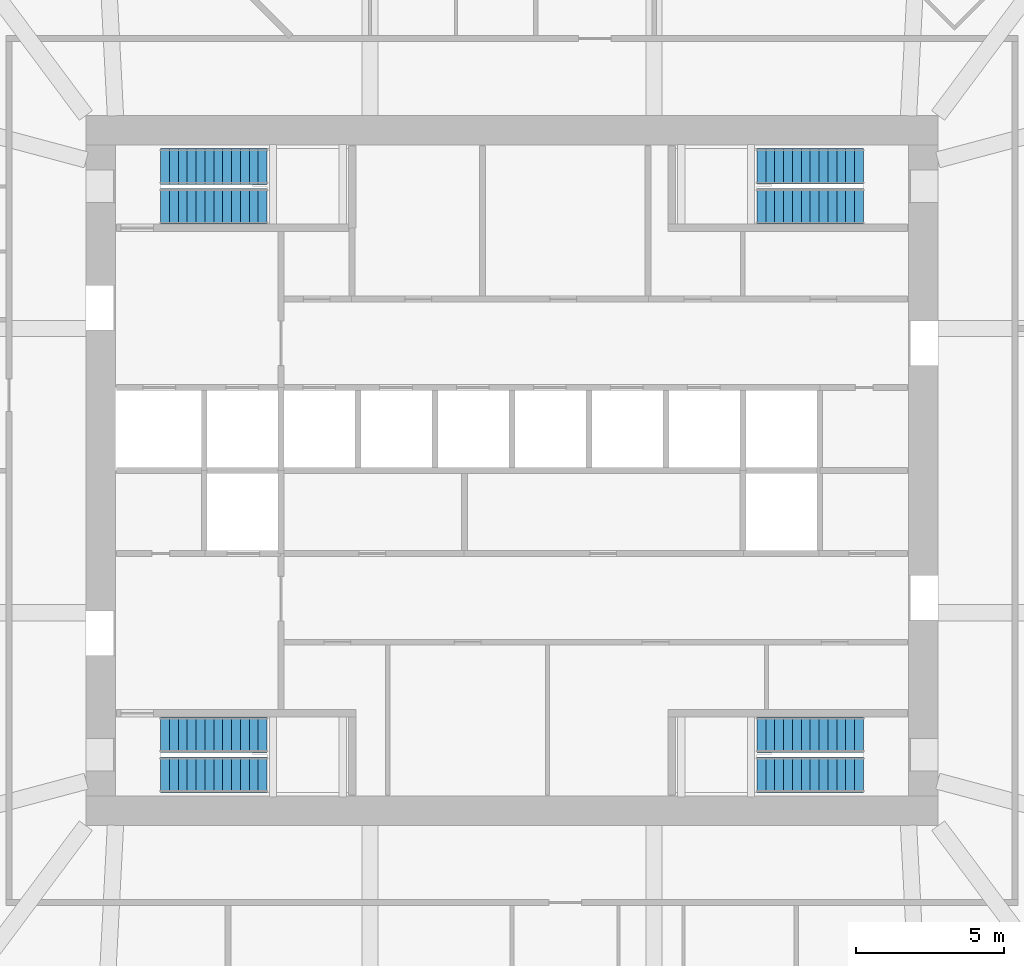
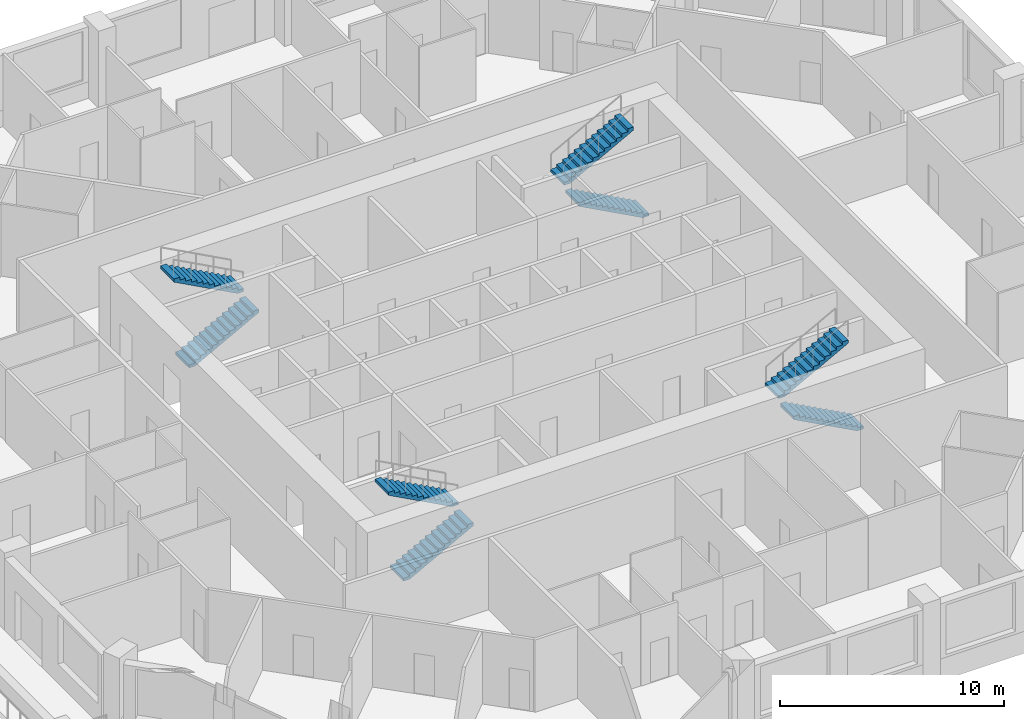
# One storey, part 11 of 13: 8 stair flights, 4 elements without a shape of their own.
"""IFC4 building model written with IfcOpenShell, lengths in metres."""

from ifc_helpers import new_model, si_unit, direction, frame, origin, place, context, subcontext, project, spatial, polyline, outline, extrude, material, type_object, element, aggregate, save


model = new_model("IFC4")

# Units and contexts
model_context = context("Model", 3, precision=1e-05, world=origin(), true_north=direction((0.0, 1.0)))
body_context = subcontext(model_context, "Body", "Model", "MODEL_VIEW")
ifc_project = project(units=[si_unit("LENGTHUNIT", "METRE"), si_unit("AREAUNIT", "SQUARE_METRE"), si_unit("VOLUMEUNIT", "CUBIC_METRE"), si_unit("PLANEANGLEUNIT", "RADIAN"), si_unit("MASSUNIT", "GRAM", prefix="KILO")], contexts=[model_context])

# Site, building, storey
site_placement = place(None, origin())
site = spatial("IfcSite", under=ifc_project, at=site_placement, CompositionType="ELEMENT")
building_placement = place(site_placement, origin())
building = spatial("IfcBuilding", under=site, at=building_placement, Name="Msitu Wima Residences", CompositionType="ELEMENT")
storey_placement = place(building_placement, frame((0.0, 0.0, 80.10009765625)))
storey = spatial("IfcBuildingStorey", under=building, at=storey_placement, Name="L18", CompositionType="ELEMENT", Elevation=80.10009765625)

# Stair, stair flights
ifc_material = material(Name="Concrete C40/50", Category="concrete")
stair_type = type_object("IfcStairType", Name="Exit stair ES1615-120", PredefinedType="HALF_TURN_STAIR", material=ifc_material)
stair_1_placement = place(storey_placement, origin())
stair_1 = element("IfcStair", 1, at=stair_1_placement, inside=storey, type_object=stair_type, Name="Exit stair 1", PredefinedType="HALF_TURN_STAIR")
stair_flight_type = type_object("IfcStairFlightType", Name="Exit stair flight ES1615-120", PredefinedType="STRAIGHT", material=ifc_material)
stair_flight_1_placement = place(storey_placement, frame((-11.875, 8.925048828125, 0.0), z_axis=(0.0, 0.0, 1.0), x_axis=(1.0, 0.0, 0.0)))
stair_flight_1 = element("IfcStairFlight", 2, at=stair_flight_1_placement, type_object=stair_flight_type, Name="S1 flight 1", NumberOfRisers=13, NumberOfTreads=12, PredefinedType="STRAIGHT", RiserHeight=0.161538462, TreadLength=0.3, context=body_context, shape_type="SweptSolid", body=[
    extrude(outline(polyline([(0.0, 0.0), (0.0, 0.16162109375), (0.300048828125, 0.16162109375), (0.300048828125, 0.322998046875), (0.60009765625, 0.322998046875), (0.60009765625, 0.484619140625), (0.89990234375, 0.484619140625), (0.89990234375, 0.646240234375), (1.199951171875, 0.646240234375), (1.199951171875, 0.8076171875), (1.5, 0.8076171875), (1.5, 0.96923828125), (1.800048828125, 0.96923828125), (1.800048828125, 1.130859375), (2.10009765625, 1.130859375), (2.10009765625, 1.292236328125), (2.39990234375, 1.292236328125), (2.39990234375, 1.453857421875), (2.699951171875, 1.453857421875), (2.699951171875, 1.615478515625), (3.0, 1.615478515625), (3.0, 1.77685546875), (3.300048828125, 1.77685546875), (3.300048828125, 1.9384765625), (3.60009765625, 1.9384765625), (3.60009765625, 2.10009765625), (3.60009765625, 1.768310546875), (0.316162109375, 0.0), (0.0, 0.0)])), frame((0.0, 0.60009765625, 0.0), z_axis=(0.0, -1.0, 0.0), x_axis=(1.0, 0.0, 0.0)), (0.0, 0.0, 1.0), 1.199951171875),
])
stair_flight_2_placement = place(storey_placement, frame((-8.27490234375, 10.27490234375, 2.099853515625), z_axis=(0.0, 0.0, 1.0), x_axis=(-1.0, 0.0, 0.0)))
stair_flight_2 = element("IfcStairFlight", 3, at=stair_flight_2_placement, type_object=stair_flight_type, Name="S1 flight 2", NumberOfRisers=13, NumberOfTreads=12, PredefinedType="STRAIGHT", RiserHeight=0.161538462, TreadLength=0.3, context=body_context, shape_type="SweptSolid", body=[
    extrude(outline(polyline([(0.0, 0.0), (0.0, 0.16162109375), (0.300048828125, 0.16162109375), (0.300048828125, 0.322998046875), (0.60009765625, 0.322998046875), (0.60009765625, 0.484619140625), (0.89990234375, 0.484619140625), (0.89990234375, 0.646240234375), (1.199951171875, 0.646240234375), (1.199951171875, 0.8076171875), (1.5, 0.8076171875), (1.5, 0.96923828125), (1.800048828125, 0.96923828125), (1.800048828125, 1.130859375), (2.10009765625, 1.130859375), (2.10009765625, 1.292236328125), (2.39990234375, 1.292236328125), (2.39990234375, 1.453857421875), (2.699951171875, 1.453857421875), (2.699951171875, 1.615478515625), (3.0, 1.615478515625), (3.0, 1.77685546875), (3.300048828125, 1.77685546875), (3.300048828125, 1.9384765625), (3.60009765625, 1.9384765625), (3.60009765625, 2.10009765625), (3.60009765625, 1.768310546875), (0.316162109375, 0.0), (0.0, 0.0)])), frame((0.0, 0.60009765625, 0.0), z_axis=(0.0, -1.0, 0.0), x_axis=(1.0, 0.0, 0.0)), (0.0, 0.0, 1.0), 1.199951171875),
])
aggregate(stair_1, [stair_flight_1, stair_flight_2])

stair_2_placement = place(storey_placement, origin())
stair_2 = element("IfcStair", 4, at=stair_2_placement, inside=storey, type_object=stair_type, Name="Exit stair 2", PredefinedType="HALF_TURN_STAIR")
stair_flight_3_placement = place(storey_placement, frame((-11.875, -10.27490234375, 0.0), z_axis=(0.0, 0.0, 1.0), x_axis=(1.0, 0.0, 0.0)))
stair_flight_3 = element("IfcStairFlight", 5, at=stair_flight_3_placement, type_object=stair_flight_type, Name="S2 flight 1", NumberOfRisers=13, NumberOfTreads=12, PredefinedType="STRAIGHT", RiserHeight=0.161538462, TreadLength=0.3, context=body_context, shape_type="SweptSolid", body=[
    extrude(outline(polyline([(0.0, 0.0), (0.0, 0.16162109375), (0.300048828125, 0.16162109375), (0.300048828125, 0.322998046875), (0.60009765625, 0.322998046875), (0.60009765625, 0.484619140625), (0.89990234375, 0.484619140625), (0.89990234375, 0.646240234375), (1.199951171875, 0.646240234375), (1.199951171875, 0.8076171875), (1.5, 0.8076171875), (1.5, 0.96923828125), (1.800048828125, 0.96923828125), (1.800048828125, 1.130859375), (2.10009765625, 1.130859375), (2.10009765625, 1.292236328125), (2.39990234375, 1.292236328125), (2.39990234375, 1.453857421875), (2.699951171875, 1.453857421875), (2.699951171875, 1.615478515625), (3.0, 1.615478515625), (3.0, 1.77685546875), (3.300048828125, 1.77685546875), (3.300048828125, 1.9384765625), (3.60009765625, 1.9384765625), (3.60009765625, 2.10009765625), (3.60009765625, 1.768310546875), (0.316162109375, 0.0), (0.0, 0.0)])), frame((0.0, 0.60009765625, 0.0), z_axis=(0.0, -1.0, 0.0), x_axis=(1.0, 0.0, 0.0)), (0.0, 0.0, 1.0), 1.199951171875),
])
stair_flight_4_placement = place(storey_placement, frame((-8.27490234375, -8.925048828125, 2.099853515625), z_axis=(0.0, 0.0, 1.0), x_axis=(-1.0, 0.0, 0.0)))
stair_flight_4 = element("IfcStairFlight", 6, at=stair_flight_4_placement, type_object=stair_flight_type, Name="S2 flight 2", NumberOfRisers=13, NumberOfTreads=12, PredefinedType="STRAIGHT", RiserHeight=0.161538462, TreadLength=0.3, context=body_context, shape_type="SweptSolid", body=[
    extrude(outline(polyline([(0.0, 0.0), (0.0, 0.16162109375), (0.300048828125, 0.16162109375), (0.300048828125, 0.322998046875), (0.60009765625, 0.322998046875), (0.60009765625, 0.484619140625), (0.89990234375, 0.484619140625), (0.89990234375, 0.646240234375), (1.199951171875, 0.646240234375), (1.199951171875, 0.8076171875), (1.5, 0.8076171875), (1.5, 0.96923828125), (1.800048828125, 0.96923828125), (1.800048828125, 1.130859375), (2.10009765625, 1.130859375), (2.10009765625, 1.292236328125), (2.39990234375, 1.292236328125), (2.39990234375, 1.453857421875), (2.699951171875, 1.453857421875), (2.699951171875, 1.615478515625), (3.0, 1.615478515625), (3.0, 1.77685546875), (3.300048828125, 1.77685546875), (3.300048828125, 1.9384765625), (3.60009765625, 1.9384765625), (3.60009765625, 2.10009765625), (3.60009765625, 1.768310546875), (0.316162109375, 0.0), (0.0, 0.0)])), frame((0.0, 0.60009765625, 0.0), z_axis=(0.0, -1.0, 0.0), x_axis=(1.0, 0.0, 0.0)), (0.0, 0.0, 1.0), 1.199951171875),
])
aggregate(stair_2, [stair_flight_3, stair_flight_4])

stair_3_placement = place(storey_placement, origin())
stair_3 = element("IfcStair", 7, at=stair_3_placement, inside=storey, type_object=stair_type, Name="Exit stair 3", PredefinedType="HALF_TURN_STAIR")
stair_flight_5_placement = place(storey_placement, frame((11.875, 8.925048828125, 0.0), z_axis=(0.0, 0.0, 1.0), x_axis=(-1.0, 0.0, 0.0)))
stair_flight_5 = element("IfcStairFlight", 8, at=stair_flight_5_placement, type_object=stair_flight_type, Name="S3 flight 1", NumberOfRisers=13, NumberOfTreads=12, PredefinedType="STRAIGHT", RiserHeight=0.161538462, TreadLength=0.3, context=body_context, shape_type="SweptSolid", body=[
    extrude(outline(polyline([(0.0, 0.0), (0.0, 0.16162109375), (0.300048828125, 0.16162109375), (0.300048828125, 0.322998046875), (0.60009765625, 0.322998046875), (0.60009765625, 0.484619140625), (0.89990234375, 0.484619140625), (0.89990234375, 0.646240234375), (1.199951171875, 0.646240234375), (1.199951171875, 0.8076171875), (1.5, 0.8076171875), (1.5, 0.96923828125), (1.800048828125, 0.96923828125), (1.800048828125, 1.130859375), (2.10009765625, 1.130859375), (2.10009765625, 1.292236328125), (2.39990234375, 1.292236328125), (2.39990234375, 1.453857421875), (2.699951171875, 1.453857421875), (2.699951171875, 1.615478515625), (3.0, 1.615478515625), (3.0, 1.77685546875), (3.300048828125, 1.77685546875), (3.300048828125, 1.9384765625), (3.60009765625, 1.9384765625), (3.60009765625, 2.10009765625), (3.60009765625, 1.768310546875), (0.316162109375, 0.0), (0.0, 0.0)])), frame((0.0, 0.60009765625, 0.0), z_axis=(0.0, -1.0, 0.0), x_axis=(1.0, 0.0, 0.0)), (0.0, 0.0, 1.0), 1.199951171875),
])
stair_flight_6_placement = place(storey_placement, frame((8.27490234375, 10.27490234375, 2.099853515625), z_axis=(0.0, 0.0, 1.0), x_axis=(1.0, 0.0, 0.0)))
stair_flight_6 = element("IfcStairFlight", 9, at=stair_flight_6_placement, type_object=stair_flight_type, Name="S3 flight 2", NumberOfRisers=13, NumberOfTreads=12, PredefinedType="STRAIGHT", RiserHeight=0.161538462, TreadLength=0.3, context=body_context, shape_type="SweptSolid", body=[
    extrude(outline(polyline([(0.0, 0.0), (0.0, 0.16162109375), (0.300048828125, 0.16162109375), (0.300048828125, 0.322998046875), (0.60009765625, 0.322998046875), (0.60009765625, 0.484619140625), (0.89990234375, 0.484619140625), (0.89990234375, 0.646240234375), (1.199951171875, 0.646240234375), (1.199951171875, 0.8076171875), (1.5, 0.8076171875), (1.5, 0.96923828125), (1.800048828125, 0.96923828125), (1.800048828125, 1.130859375), (2.10009765625, 1.130859375), (2.10009765625, 1.292236328125), (2.39990234375, 1.292236328125), (2.39990234375, 1.453857421875), (2.699951171875, 1.453857421875), (2.699951171875, 1.615478515625), (3.0, 1.615478515625), (3.0, 1.77685546875), (3.300048828125, 1.77685546875), (3.300048828125, 1.9384765625), (3.60009765625, 1.9384765625), (3.60009765625, 2.10009765625), (3.60009765625, 1.768310546875), (0.316162109375, 0.0), (0.0, 0.0)])), frame((0.0, 0.60009765625, 0.0), z_axis=(0.0, -1.0, 0.0), x_axis=(1.0, 0.0, 0.0)), (0.0, 0.0, 1.0), 1.199951171875),
])
aggregate(stair_3, [stair_flight_5, stair_flight_6])

stair_4_placement = place(storey_placement, origin())
stair_4 = element("IfcStair", 10, at=stair_4_placement, inside=storey, type_object=stair_type, Name="Exit stair 4", PredefinedType="HALF_TURN_STAIR")
stair_flight_7_placement = place(storey_placement, frame((11.875, -10.27490234375, 0.0), z_axis=(0.0, 0.0, 1.0), x_axis=(-1.0, 0.0, 0.0)))
stair_flight_7 = element("IfcStairFlight", 11, at=stair_flight_7_placement, type_object=stair_flight_type, Name="S4 flight 1", NumberOfRisers=13, NumberOfTreads=12, PredefinedType="STRAIGHT", RiserHeight=0.161538462, TreadLength=0.3, context=body_context, shape_type="SweptSolid", body=[
    extrude(outline(polyline([(0.0, 0.0), (0.0, 0.16162109375), (0.300048828125, 0.16162109375), (0.300048828125, 0.322998046875), (0.60009765625, 0.322998046875), (0.60009765625, 0.484619140625), (0.89990234375, 0.484619140625), (0.89990234375, 0.646240234375), (1.199951171875, 0.646240234375), (1.199951171875, 0.8076171875), (1.5, 0.8076171875), (1.5, 0.96923828125), (1.800048828125, 0.96923828125), (1.800048828125, 1.130859375), (2.10009765625, 1.130859375), (2.10009765625, 1.292236328125), (2.39990234375, 1.292236328125), (2.39990234375, 1.453857421875), (2.699951171875, 1.453857421875), (2.699951171875, 1.615478515625), (3.0, 1.615478515625), (3.0, 1.77685546875), (3.300048828125, 1.77685546875), (3.300048828125, 1.9384765625), (3.60009765625, 1.9384765625), (3.60009765625, 2.10009765625), (3.60009765625, 1.768310546875), (0.316162109375, 0.0), (0.0, 0.0)])), frame((0.0, 0.60009765625, 0.0), z_axis=(0.0, -1.0, 0.0), x_axis=(1.0, 0.0, 0.0)), (0.0, 0.0, 1.0), 1.199951171875),
])
stair_flight_8_placement = place(storey_placement, frame((8.27490234375, -8.925048828125, 2.099853515625), z_axis=(0.0, 0.0, 1.0), x_axis=(1.0, 0.0, 0.0)))
stair_flight_8 = element("IfcStairFlight", 12, at=stair_flight_8_placement, type_object=stair_flight_type, Name="S4 flight 2", NumberOfRisers=13, NumberOfTreads=12, PredefinedType="STRAIGHT", RiserHeight=0.161538462, TreadLength=0.3, context=body_context, shape_type="SweptSolid", body=[
    extrude(outline(polyline([(0.0, 0.0), (0.0, 0.16162109375), (0.300048828125, 0.16162109375), (0.300048828125, 0.322998046875), (0.60009765625, 0.322998046875), (0.60009765625, 0.484619140625), (0.89990234375, 0.484619140625), (0.89990234375, 0.646240234375), (1.199951171875, 0.646240234375), (1.199951171875, 0.8076171875), (1.5, 0.8076171875), (1.5, 0.96923828125), (1.800048828125, 0.96923828125), (1.800048828125, 1.130859375), (2.10009765625, 1.130859375), (2.10009765625, 1.292236328125), (2.39990234375, 1.292236328125), (2.39990234375, 1.453857421875), (2.699951171875, 1.453857421875), (2.699951171875, 1.615478515625), (3.0, 1.615478515625), (3.0, 1.77685546875), (3.300048828125, 1.77685546875), (3.300048828125, 1.9384765625), (3.60009765625, 1.9384765625), (3.60009765625, 2.10009765625), (3.60009765625, 1.768310546875), (0.316162109375, 0.0), (0.0, 0.0)])), frame((0.0, 0.60009765625, 0.0), z_axis=(0.0, -1.0, 0.0), x_axis=(1.0, 0.0, 0.0)), (0.0, 0.0, 1.0), 1.199951171875),
])
aggregate(stair_4, [stair_flight_7, stair_flight_8])

save(model, "model.ifc")
